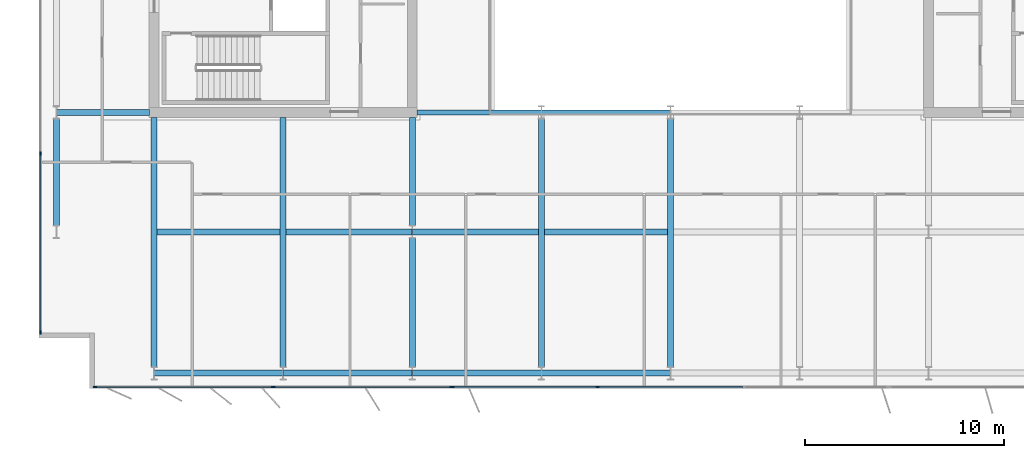
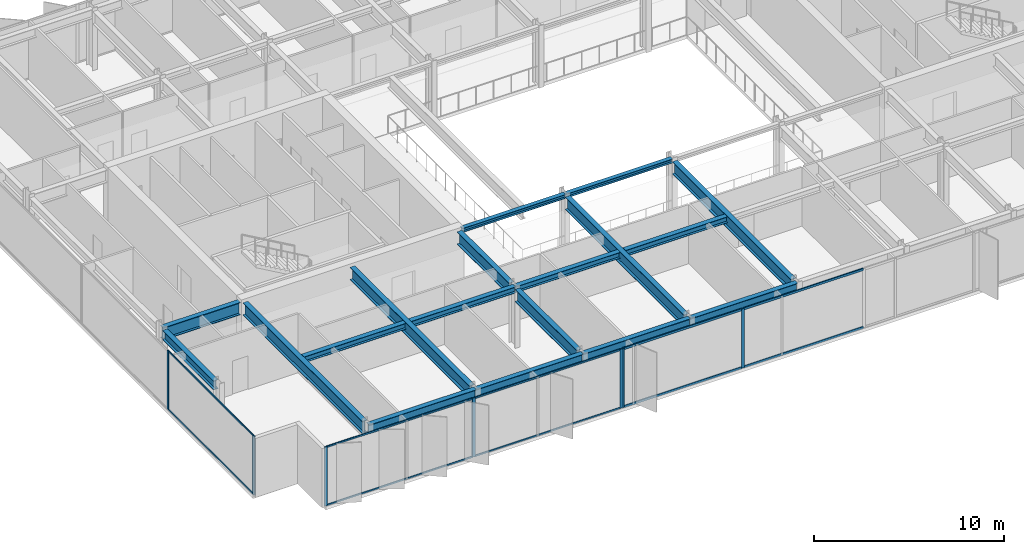
# One storey, part 4 of 21: 18 beams, 17 members, 3 elements without a shape of their own.
"""IFC4 building model written with IfcOpenShell, lengths in metres."""

from ifc_helpers import new_model, si_unit, direction, frame, origin, origin_2d, place, context, subcontext, project, spatial, rectangle, i_section, extrude, material, layer, layer_set, material_profile, profile_set, type_object, element, aggregate, save


model = new_model("IFC4")

# Units and contexts
model_context = context("Model", 3, precision=1e-05, world=origin(), true_north=direction((0.0, 1.0)))
body_context = subcontext(model_context, "Body", "Model", "MODEL_VIEW")
ifc_project = project(units=[si_unit("LENGTHUNIT", "METRE"), si_unit("AREAUNIT", "SQUARE_METRE"), si_unit("VOLUMEUNIT", "CUBIC_METRE"), si_unit("PLANEANGLEUNIT", "RADIAN"), si_unit("MASSUNIT", "GRAM", prefix="KILO")], contexts=[model_context])

# Site, building, storey
site_placement = place(None, origin())
site = spatial("IfcSite", under=ifc_project, at=site_placement, CompositionType="ELEMENT")
building_placement = place(site_placement, origin())
building = spatial("IfcBuilding", under=site, at=building_placement, Name="Putna Gate Headquarters", CompositionType="ELEMENT")
storey_placement = place(building_placement, frame((0.0, 0.0, 278.39990234375)))
storey = spatial("IfcBuildingStorey", under=building, at=storey_placement, Name="L70", CompositionType="ELEMENT", Elevation=278.39990234375)

# Beams
ifc_material_1 = material(Name="Steel S355J2", Category="steel")
ifc_material_profile_1 = material_profile(ifc_material_1, i_section(OverallWidth=0.260009765625, OverallDepth=0.260009765625, WebThickness=0.010009765625, FlangeThickness=0.017578125, at=origin_2d()), Name="Steel S355J2")
ifc_profile_set_1 = profile_set([ifc_material_profile_1], Name="Steel S355J2")
beam_type_1 = type_object("IfcBeamType", Name="BM-ATRIUM-HEB260", PredefinedType="BEAM", material=ifc_profile_set_1)
beam_1_placement = place(storey_placement, frame((26.235107421875, 19.0, 3.658203125), z_axis=(1.0, 0.0, 0.0), x_axis=(0.0, 1.0, 0.0)))
element("IfcBeam", 1, at=beam_1_placement, inside=storey, type_object=beam_type_1, Name="L70 Atrium Edge Beam AS1", PredefinedType="BEAM", context=body_context, shape_type="SweptSolid", body=[
    extrude(i_section(OverallWidth=0.260009765625, OverallDepth=0.260009765625, WebThickness=0.010009765625, FlangeThickness=0.017578125, at=origin_2d()), origin(), (0.0, 0.0, 1.0), 6.2587890625),
])
beam_2_placement = place(storey_placement, frame((32.506103515625, 19.0, 3.658203125), z_axis=(1.0, 0.0, 0.0), x_axis=(0.0, 1.0, 0.0)))
element("IfcBeam", 2, at=beam_2_placement, inside=storey, type_object=beam_type_1, Name="L70 Atrium Edge Beam AS2", PredefinedType="BEAM", context=body_context, shape_type="SweptSolid", body=[
    extrude(i_section(OverallWidth=0.260009765625, OverallDepth=0.260009765625, WebThickness=0.010009765625, FlangeThickness=0.017578125, at=origin_2d()), origin(), (0.0, 0.0, 1.0), 6.48779296875),
])
ifc_material_profile_2 = material_profile(ifc_material_1, i_section(OverallWidth=0.300048828125, OverallDepth=0.800048828125, WebThickness=0.017578125, FlangeThickness=0.032958984375, at=origin_2d()), Name="Steel S355J2")
ifc_profile_set_2 = profile_set([ifc_material_profile_2], Name="Steel S355J2")
beam_type_2 = type_object("IfcBeamType", Name="BM-GIRD-P-HEB800", PredefinedType="USERDEFINED", material=ifc_profile_set_2)
beam_3_placement = place(storey_placement, frame((8.0859375, 19.0, 3.38818359375), z_axis=(1.0, 0.0, 0.0), x_axis=(0.0, 1.0, 0.0)))
element("IfcBeam", 3, at=beam_3_placement, inside=storey, type_object=beam_type_2, Name="L70 West Wing Girder Y19", ObjectType="GIRDER", PredefinedType="USERDEFINED", context=body_context, shape_type="SweptSolid", body=[
    extrude(i_section(OverallWidth=0.300048828125, OverallDepth=0.800048828125, WebThickness=0.017578125, FlangeThickness=0.032958984375, at=origin_2d()), origin(), (0.0, 0.0, 1.0), 4.678955078125),
])
for number, where, z_axis, x_axis, name in (
    (4, (13.0, 6.201904296875, 3.38818359375), (0.0, 1.0, 0.0), (-1.0, 0.0, 0.0), "L70 South Primary Girder X13"),
    (5, (19.5, 6.201904296875, 3.38818359375), (0.0, 1.0, 0.0), (-1.0, 0.0, 0.0), "L70 South Primary Girder X19"),
):
    element("IfcBeam", number, at=place(storey_placement, frame(where, z_axis=z_axis, x_axis=x_axis)), inside=storey, type_object=beam_type_2, Name=name, ObjectType="GIRDER", PredefinedType="USERDEFINED", context=body_context, shape_type="SweptSolid", body=[
        extrude(i_section(OverallWidth=0.300048828125, OverallDepth=0.800048828125, WebThickness=0.017578125, FlangeThickness=0.032958984375, at=origin_2d()), origin(), (0.0, 0.0, 1.0), 12.56298828125),
    ])
beam_4_placement = place(storey_placement, frame((26.0, 6.201904296875, 3.38818359375), z_axis=(0.0, 1.0, 0.0), x_axis=(-1.0, 0.0, 0.0)))
element("IfcBeam", 6, at=beam_4_placement, inside=storey, type_object=beam_type_2, Name="L70 South Primary Girder X26-1", ObjectType="GIRDER", PredefinedType="USERDEFINED", context=body_context, shape_type="SweptSolid", body=[
    extrude(i_section(OverallWidth=0.300048828125, OverallDepth=0.800048828125, WebThickness=0.017578125, FlangeThickness=0.032958984375, at=origin_2d()), origin(), (0.0, 0.0, 1.0), 6.47607421875),
])
beam_5_placement = place(storey_placement, frame((26.0, 13.322021484375, 3.38818359375), z_axis=(0.0, 1.0, 0.0), x_axis=(-1.0, 0.0, 0.0)))
element("IfcBeam", 7, at=beam_5_placement, inside=storey, type_object=beam_type_2, Name="L70 South Primary Girder X26-2", ObjectType="GIRDER", PredefinedType="USERDEFINED", context=body_context, shape_type="SweptSolid", body=[
    extrude(i_section(OverallWidth=0.300048828125, OverallDepth=0.800048828125, WebThickness=0.017578125, FlangeThickness=0.032958984375, at=origin_2d()), origin(), (0.0, 0.0, 1.0), 5.44287109375),
])
for number, where, z_axis, x_axis, name in (
    (8, (32.5, 6.201904296875, 3.38818359375), (0.0, 1.0, 0.0), (-1.0, 0.0, 0.0), "L70 South Primary Girder X32"),
    (9, (39.0, 6.201904296875, 3.38818359375), (0.0, 1.0, 0.0), (-1.0, 0.0, 0.0), "L70 South Primary Girder X39"),
):
    element("IfcBeam", number, at=place(storey_placement, frame(where, z_axis=z_axis, x_axis=x_axis)), inside=storey, type_object=beam_type_2, Name=name, ObjectType="GIRDER", PredefinedType="USERDEFINED", context=body_context, shape_type="SweptSolid", body=[
        extrude(i_section(OverallWidth=0.300048828125, OverallDepth=0.800048828125, WebThickness=0.017578125, FlangeThickness=0.032958984375, at=origin_2d()), origin(), (0.0, 0.0, 1.0), 12.47607421875),
    ])
ifc_material_profile_3 = material_profile(ifc_material_1, i_section(OverallWidth=0.300048828125, OverallDepth=0.389892578125, WebThickness=0.010986328125, FlangeThickness=0.01904296875, at=origin_2d()), Name="Steel S355J2")
ifc_profile_set_3 = profile_set([ifc_material_profile_3], Name="Steel S355J2")
beam_type_3 = type_object("IfcBeamType", Name="BM-SEC-Z5-HEA400", PredefinedType="BEAM", material=ifc_profile_set_3)
beam_6_placement = place(storey_placement, frame((13.154052734375, 13.0, 3.593017578125), z_axis=(1.0, 0.0, 0.0), x_axis=(0.0, 1.0, 0.0)))
element("IfcBeam", 10, at=beam_6_placement, inside=storey, type_object=beam_type_3, Name="L70 South Secondary Beam 1", PredefinedType="BEAM", context=body_context, shape_type="SweptSolid", body=[
    extrude(i_section(OverallWidth=0.300048828125, OverallDepth=0.389892578125, WebThickness=0.010986328125, FlangeThickness=0.01904296875, at=origin_2d()), origin(), (0.0, 0.0, 1.0), 6.19189453125),
])
for number, where, z_axis, x_axis, name in (
    (11, (19.654052734375, 13.0, 3.593017578125), (1.0, 0.0, 0.0), (0.0, 1.0, 0.0), "L70 South Secondary Beam 2"),
    (12, (26.006103515625, 13.0, 3.593017578125), (1.0, 0.0, 0.0), (0.0, 1.0, 0.0), "L70 South Secondary Beam 3"),
):
    element("IfcBeam", number, at=place(storey_placement, frame(where, z_axis=z_axis, x_axis=x_axis)), inside=storey, type_object=beam_type_3, Name=name, PredefinedType="BEAM", context=body_context, shape_type="SweptSolid", body=[
        extrude(i_section(OverallWidth=0.300048828125, OverallDepth=0.389892578125, WebThickness=0.010986328125, FlangeThickness=0.01904296875, at=origin_2d()), origin(), (0.0, 0.0, 1.0), 6.33984375),
    ])
beam_7_placement = place(storey_placement, frame((32.654052734375, 13.0, 3.593017578125), z_axis=(1.0, 0.0, 0.0), x_axis=(0.0, 1.0, 0.0)))
element("IfcBeam", 13, at=beam_7_placement, inside=storey, type_object=beam_type_3, Name="L70 South Secondary Beam 4", PredefinedType="BEAM", context=body_context, shape_type="SweptSolid", body=[
    extrude(i_section(OverallWidth=0.300048828125, OverallDepth=0.389892578125, WebThickness=0.010986328125, FlangeThickness=0.01904296875, at=origin_2d()), origin(), (0.0, 0.0, 1.0), 6.19189453125),
])
ifc_material_profile_4 = material_profile(ifc_material_1, i_section(OverallWidth=0.300048828125, OverallDepth=0.590087890625, WebThickness=0.012939453125, FlangeThickness=0.02490234375, at=origin_2d()), Name="Steel S355J2")
ifc_profile_set_4 = profile_set([ifc_material_profile_4], Name="Steel S355J2")
beam_type_4 = type_object("IfcBeamType", Name="BM-SPAN-Z4-HEA600", PredefinedType="SPANDREL", material=ifc_profile_set_4)
for number, where, z_axis, x_axis, name in (
    (14, (13.006103515625, 5.8798828125, 3.4931640625), (1.0, 0.0, 0.0), (0.0, 1.0, 0.0), "L70 S Perimeter Spandrel 1"),
    (15, (19.506103515625, 5.8798828125, 3.4931640625), (1.0, 0.0, 0.0), (0.0, 1.0, 0.0), "L70 S Perimeter Spandrel 2"),
    (16, (26.006103515625, 5.8798828125, 3.4931640625), (1.0, 0.0, 0.0), (0.0, 1.0, 0.0), "L70 S Perimeter Spandrel 3"),
    (17, (32.506103515625, 5.8798828125, 3.4931640625), (1.0, 0.0, 0.0), (0.0, 1.0, 0.0), "L70 S Perimeter Spandrel 4"),
):
    element("IfcBeam", number, at=place(storey_placement, frame(where, z_axis=z_axis, x_axis=x_axis)), inside=storey, type_object=beam_type_4, Name=name, PredefinedType="SPANDREL", context=body_context, shape_type="SweptSolid", body=[
        extrude(i_section(OverallWidth=0.300048828125, OverallDepth=0.590087890625, WebThickness=0.012939453125, FlangeThickness=0.02490234375, at=origin_2d()), origin(), (0.0, 0.0, 1.0), 6.48779296875),
    ])
beam_8_placement = place(storey_placement, frame((8.080078125, 13.322021484375, 3.4931640625), z_axis=(0.0, 1.0, 0.0), x_axis=(-1.0, 0.0, 0.0)))
element("IfcBeam", 18, at=beam_8_placement, inside=storey, type_object=beam_type_4, Name="L70 W End Spandrel 1", PredefinedType="SPANDREL", context=body_context, shape_type="SweptSolid", body=[
    extrude(i_section(OverallWidth=0.300048828125, OverallDepth=0.590087890625, WebThickness=0.012939453125, FlangeThickness=0.02490234375, at=origin_2d()), origin(), (0.0, 0.0, 1.0), 5.35595703125),
])

# Curtain wall, members
ifc_material_2 = material(Name="Anodised bronze aluminium curtain wall", Category="aluminium")
ifc_layer_1 = layer(ifc_material_2, 0.179931640625)
ifc_layer_set_1 = layer_set([ifc_layer_1], Name="Anodised bronze aluminium curtain wall")
curtain_wall_type_1 = type_object("IfcCurtainWallType", Name="CW-SYS-Z5", PredefinedType="USERDEFINED", material=ifc_layer_set_1)
curtain_wall_1_placement = place(storey_placement, origin())
curtain_wall_1 = element("IfcCurtainWall", 19, at=curtain_wall_1_placement, inside=storey, type_object=curtain_wall_type_1, Name="L70 South West Curtain Wall", ObjectType="STICK CURTAIN WALL", PredefinedType="USERDEFINED")
ifc_material_3 = material(Name="Anodised bronze aluminium EN AW-6060", Category="aluminium")
ifc_material_profile_5 = material_profile(ifc_material_3, rectangle(XDim=0.070068359375, YDim=0.179931640625, at=origin_2d()), Name="Anodised bronze aluminium EN AW-6060")
ifc_profile_set_5 = profile_set([ifc_material_profile_5], Name="Anodised bronze aluminium EN AW-6060")
member_type_1 = type_object("IfcMemberType", Name="MULL-CWM-5", PredefinedType="MULLION", material=ifc_profile_set_5)
member_1_placement = place(storey_placement, frame((10.034912109375, 5.179931640625, 0.0), z_axis=(0.0, 0.0, 1.0), x_axis=(0.0, 1.0, 0.0)))
member_1 = element("IfcMember", 20, at=member_1_placement, type_object=member_type_1, Name="CWS-5 mullion 1", PredefinedType="MULLION", context=body_context, shape_type="SweptSolid", body=[
    extrude(rectangle(XDim=0.070068359375, YDim=0.179931640625, at=origin_2d()), origin(), (0.0, 0.0, 1.0), 3.7880859375),
])
member_2_placement = place(storey_placement, frame((19.0, 5.179931640625, 0.0), z_axis=(0.0, 0.0, 1.0), x_axis=(0.0, 1.0, 0.0)))
member_2 = element("IfcMember", 21, at=member_2_placement, type_object=member_type_1, Name="CWS-5 mullion 2", PredefinedType="MULLION", context=body_context, shape_type="SweptSolid", body=[
    extrude(rectangle(XDim=0.070068359375, YDim=0.179931640625, at=origin_2d()), origin(), (0.0, 0.0, 1.0), 3.7880859375),
])
member_3_placement = place(storey_placement, frame((27.965087890625, 5.179931640625, 0.0), z_axis=(0.0, 0.0, 1.0), x_axis=(0.0, 1.0, 0.0)))
member_3 = element("IfcMember", 22, at=member_3_placement, type_object=member_type_1, Name="CWS-5 mullion 3", PredefinedType="MULLION", context=body_context, shape_type="SweptSolid", body=[
    extrude(rectangle(XDim=0.070068359375, YDim=0.179931640625, at=origin_2d()), origin(), (0.0, 0.0, 1.0), 3.7880859375),
])

curtain_wall_2_placement = place(storey_placement, origin())
curtain_wall_2 = element("IfcCurtainWall", 23, at=curtain_wall_2_placement, inside=storey, type_object=curtain_wall_type_1, Name="L70 West Curtain Wall", ObjectType="STICK CURTAIN WALL", PredefinedType="USERDEFINED")
member_4_placement = place(storey_placement, frame((7.280029296875, 7.93505859375, 0.0), z_axis=(0.0, 0.0, 1.0), x_axis=(-1.0, 0.0, 0.0)))
member_4 = element("IfcMember", 24, at=member_4_placement, type_object=member_type_1, Name="CWS-5 mullion 1", PredefinedType="MULLION", context=body_context, shape_type="SweptSolid", body=[
    extrude(rectangle(XDim=0.070068359375, YDim=0.179931640625, at=origin_2d()), origin(), (0.0, 0.0, 1.0), 3.7880859375),
])
member_5_placement = place(storey_placement, frame((7.280029296875, 16.949951171875, 0.0), z_axis=(0.0, 0.0, 1.0), x_axis=(-1.0, 0.0, 0.0)))
member_5 = element("IfcMember", 25, at=member_5_placement, type_object=member_type_1, Name="CWS-5 mullion 2", PredefinedType="MULLION", context=body_context, shape_type="SweptSolid", body=[
    extrude(rectangle(XDim=0.070068359375, YDim=0.179931640625, at=origin_2d()), origin(), (0.0, 0.0, 1.0), 3.7880859375),
])

ifc_layer_2 = layer(ifc_material_2, 0.179931640625)
ifc_layer_set_2 = layer_set([ifc_layer_2], Name="Anodised bronze aluminium curtain wall")
curtain_wall_type_2 = type_object("IfcCurtainWallType", Name="CW-SYS-ATR", PredefinedType="USERDEFINED", material=ifc_layer_set_2)
curtain_wall_3_placement = place(storey_placement, origin())
curtain_wall_3 = element("IfcCurtainWall", 26, at=curtain_wall_3_placement, inside=storey, type_object=curtain_wall_type_2, Name="L70 South Atrium Clear Glazing", ObjectType="ATRIUM GLAZING", PredefinedType="USERDEFINED")
ifc_material_profile_6 = material_profile(ifc_material_3, rectangle(XDim=0.070068359375, YDim=0.179931640625, at=origin_2d()), Name="Anodised bronze aluminium EN AW-6060")
ifc_profile_set_6 = profile_set([ifc_material_profile_6], Name="Anodised bronze aluminium EN AW-6060")
member_type_2 = type_object("IfcMemberType", Name="MULL-CWM-AT", PredefinedType="MULLION", material=ifc_profile_set_6)
member_6_placement = place(storey_placement, frame((28.034912109375, 5.179931640625, 0.0), z_axis=(0.0, 0.0, 1.0), x_axis=(0.0, 1.0, 0.0)))
member_6 = element("IfcMember", 27, at=member_6_placement, type_object=member_type_2, Name="CWS-AT mullion 1", PredefinedType="MULLION", context=body_context, shape_type="SweptSolid", body=[
    extrude(rectangle(XDim=0.070068359375, YDim=0.179931640625, at=origin_2d()), origin(), (0.0, 0.0, 1.0), 3.7880859375),
])
member_7_placement = place(storey_placement, frame((35.333251953125, 5.179931640625, 0.0), z_axis=(0.0, 0.0, 1.0), x_axis=(0.0, 1.0, 0.0)))
member_7 = element("IfcMember", 28, at=member_7_placement, type_object=member_type_2, Name="CWS-AT mullion 2", PredefinedType="MULLION", context=body_context, shape_type="SweptSolid", body=[
    extrude(rectangle(XDim=0.070068359375, YDim=0.179931640625, at=origin_2d()), origin(), (0.0, 0.0, 1.0), 3.7880859375),
])

# Member
ifc_material_profile_7 = material_profile(ifc_material_3, rectangle(XDim=0.06005859375, YDim=0.10009765625, at=origin_2d()), Name="Anodised bronze aluminium EN AW-6060")
ifc_profile_set_7 = profile_set([ifc_material_profile_7], Name="Anodised bronze aluminium EN AW-6060")
member_type_3 = type_object("IfcMemberType", Name="TRAN-CWT-5", PredefinedType="USERDEFINED", material=ifc_profile_set_7)
member_8_placement = place(storey_placement, frame((10.070068359375, 5.179931640625, 0.030029296875), z_axis=(1.0, 0.0, 0.0), x_axis=(0.0, 1.0, 0.0)))
member_8 = element("IfcMember", 29, at=member_8_placement, type_object=member_type_3, Name="CWS-5 transom 1.1", ObjectType="TRANSOM", PredefinedType="USERDEFINED", context=body_context, shape_type="SweptSolid", body=[
    extrude(rectangle(XDim=0.06005859375, YDim=0.10009765625, at=origin_2d()), origin(), (0.0, 0.0, 1.0), 8.89501953125),
])

member_9_placement = place(storey_placement, frame((10.070068359375, 5.179931640625, 3.758056640625), z_axis=(1.0, 0.0, 0.0), x_axis=(0.0, 1.0, 0.0)))
member_9 = element("IfcMember", 30, at=member_9_placement, type_object=member_type_3, Name="CWS-5 transom 1.2", ObjectType="TRANSOM", PredefinedType="USERDEFINED", context=body_context, shape_type="SweptSolid", body=[
    extrude(rectangle(XDim=0.06005859375, YDim=0.10009765625, at=origin_2d()), origin(), (0.0, 0.0, 1.0), 8.89501953125),
])

member_10_placement = place(storey_placement, frame((19.034912109375, 5.179931640625, 0.030029296875), z_axis=(1.0, 0.0, 0.0), x_axis=(0.0, 1.0, 0.0)))
member_10 = element("IfcMember", 31, at=member_10_placement, type_object=member_type_3, Name="CWS-5 transom 2.1", ObjectType="TRANSOM", PredefinedType="USERDEFINED", context=body_context, shape_type="SweptSolid", body=[
    extrude(rectangle(XDim=0.06005859375, YDim=0.10009765625, at=origin_2d()), origin(), (0.0, 0.0, 1.0), 8.89501953125),
])

member_11_placement = place(storey_placement, frame((19.034912109375, 5.179931640625, 3.758056640625), z_axis=(1.0, 0.0, 0.0), x_axis=(0.0, 1.0, 0.0)))
member_11 = element("IfcMember", 32, at=member_11_placement, type_object=member_type_3, Name="CWS-5 transom 2.2", ObjectType="TRANSOM", PredefinedType="USERDEFINED", context=body_context, shape_type="SweptSolid", body=[
    extrude(rectangle(XDim=0.06005859375, YDim=0.10009765625, at=origin_2d()), origin(), (0.0, 0.0, 1.0), 8.89501953125),
])

aggregate(curtain_wall_1, [member_1, member_2, member_3, member_8, member_9, member_10, member_11])

member_12_placement = place(storey_placement, frame((7.280029296875, 7.969970703125, 0.030029296875), z_axis=(0.0, 1.0, 0.0), x_axis=(-1.0, 0.0, 0.0)))
member_12 = element("IfcMember", 33, at=member_12_placement, type_object=member_type_3, Name="CWS-5 transom 1.1", ObjectType="TRANSOM", PredefinedType="USERDEFINED", context=body_context, shape_type="SweptSolid", body=[
    extrude(rectangle(XDim=0.06005859375, YDim=0.10009765625, at=origin_2d()), origin(), (0.0, 0.0, 1.0), 8.945068359375),
])

member_13_placement = place(storey_placement, frame((7.280029296875, 7.969970703125, 3.758056640625), z_axis=(0.0, 1.0, 0.0), x_axis=(-1.0, 0.0, 0.0)))
member_13 = element("IfcMember", 34, at=member_13_placement, type_object=member_type_3, Name="CWS-5 transom 1.2", ObjectType="TRANSOM", PredefinedType="USERDEFINED", context=body_context, shape_type="SweptSolid", body=[
    extrude(rectangle(XDim=0.06005859375, YDim=0.10009765625, at=origin_2d()), origin(), (0.0, 0.0, 1.0), 8.945068359375),
])

aggregate(curtain_wall_2, [member_4, member_5, member_12, member_13])

ifc_material_profile_8 = material_profile(ifc_material_3, rectangle(XDim=0.070068359375, YDim=0.139892578125, at=origin_2d()), Name="Anodised bronze aluminium EN AW-6060")
ifc_profile_set_8 = profile_set([ifc_material_profile_8], Name="Anodised bronze aluminium EN AW-6060")
member_type_4 = type_object("IfcMemberType", Name="TRAN-CWT-AT", PredefinedType="USERDEFINED", material=ifc_profile_set_8)
member_14_placement = place(storey_placement, frame((28.070068359375, 5.179931640625, 0.03515625), z_axis=(1.0, 0.0, 0.0), x_axis=(0.0, 1.0, 0.0)))
member_14 = element("IfcMember", 35, at=member_14_placement, type_object=member_type_4, Name="CWS-AT transom 1.1", ObjectType="TRANSOM", PredefinedType="USERDEFINED", context=body_context, shape_type="SweptSolid", body=[
    extrude(rectangle(XDim=0.070068359375, YDim=0.139892578125, at=origin_2d()), origin(), (0.0, 0.0, 1.0), 7.228271484375),
])

member_15_placement = place(storey_placement, frame((28.070068359375, 5.179931640625, 3.753173828125), z_axis=(1.0, 0.0, 0.0), x_axis=(0.0, 1.0, 0.0)))
member_15 = element("IfcMember", 36, at=member_15_placement, type_object=member_type_4, Name="CWS-AT transom 1.2", ObjectType="TRANSOM", PredefinedType="USERDEFINED", context=body_context, shape_type="SweptSolid", body=[
    extrude(rectangle(XDim=0.070068359375, YDim=0.139892578125, at=origin_2d()), origin(), (0.0, 0.0, 1.0), 7.228271484375),
])

member_16_placement = place(storey_placement, frame((35.368408203125, 5.179931640625, 0.03515625), z_axis=(1.0, 0.0, 0.0), x_axis=(0.0, 1.0, 0.0)))
member_16 = element("IfcMember", 37, at=member_16_placement, type_object=member_type_4, Name="CWS-AT transom 2.1", ObjectType="TRANSOM", PredefinedType="USERDEFINED", context=body_context, shape_type="SweptSolid", body=[
    extrude(rectangle(XDim=0.070068359375, YDim=0.139892578125, at=origin_2d()), origin(), (0.0, 0.0, 1.0), 7.26318359375),
])

member_17_placement = place(storey_placement, frame((35.368408203125, 5.179931640625, 3.753173828125), z_axis=(1.0, 0.0, 0.0), x_axis=(0.0, 1.0, 0.0)))
member_17 = element("IfcMember", 38, at=member_17_placement, type_object=member_type_4, Name="CWS-AT transom 2.2", ObjectType="TRANSOM", PredefinedType="USERDEFINED", context=body_context, shape_type="SweptSolid", body=[
    extrude(rectangle(XDim=0.070068359375, YDim=0.139892578125, at=origin_2d()), origin(), (0.0, 0.0, 1.0), 7.26318359375),
])

aggregate(curtain_wall_3, [member_6, member_7, member_14, member_15, member_16, member_17])

save(model, "model.ifc")
